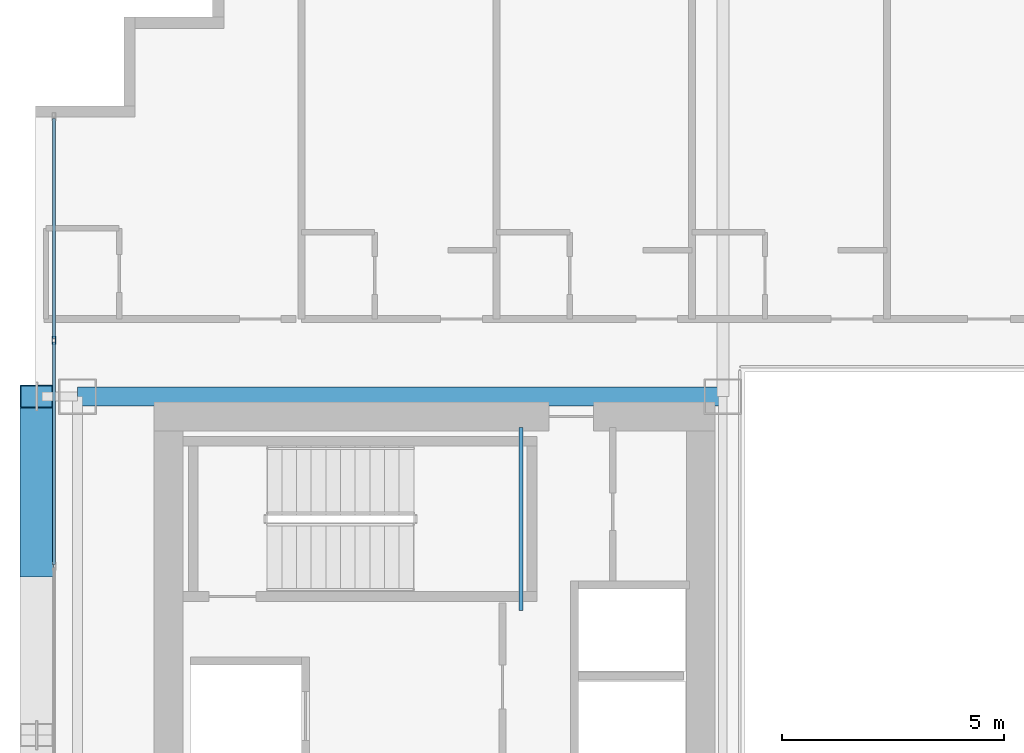
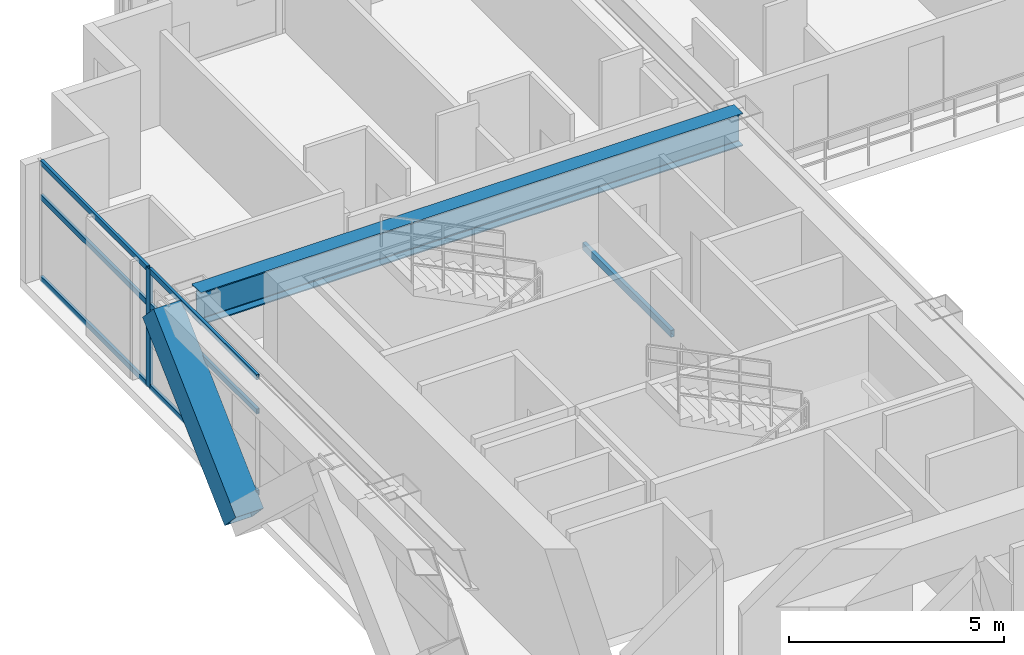
# One storey, part 16 of 36: 8 members, 2 beams, 1 element without a shape of its own.
"""IFC4 building model written with IfcOpenShell, lengths in metres."""

import ifcopenshell
import ifcopenshell.guid

model = None  # the IFC model being written
_history = None  # IfcOwnerHistory: only IFC2X3 demands one
_inside = {}  # id of a spatial element -> (the spatial element, [elements in it])
_under = {}  # id of a project, library or spatial element -> (it, [spatial elements below it])
_declared = {}  # id of a project -> (the project, [libraries it declares])
_typed = {}  # id of a type object -> (the type object, [elements of that type])
_made_of = {}  # id of a material, layer set ... -> (it, [elements and type objects made of it])


def new_model(schema):
    """Start an empty IFC model of exactly this schema.

    Asked for "IFC4X3", IfcOpenShell would pick the latest addendum, in which some entities
    have other attributes; the version numbers below select the first issue.
    IFC2X3 requires an IfcOwnerHistory on every rooted entity: one is made here for all.
    """
    global model, _history
    if schema == "IFC4X3":
        model = ifcopenshell.file(schema_version=(4, 3, 0, 0))
    else:
        model = ifcopenshell.file(schema=schema)
    _inside.clear()
    _under.clear()
    _declared.clear()
    _typed.clear()
    _made_of.clear()
    _history = None
    if model.schema == "IFC2X3":
        org = make("IfcOrganization", Name="unknown")
        user = make(
            "IfcPersonAndOrganization",
            ThePerson=make("IfcPerson", FamilyName="unknown"),
            TheOrganization=org,
        )
        app = make(
            "IfcApplication",
            ApplicationDeveloper=org,
            Version="unknown",
            ApplicationFullName="unknown",
            ApplicationIdentifier="unknown",
        )
        _history = make(
            "IfcOwnerHistory",
            OwningUser=user,
            OwningApplication=app,
            ChangeAction="ADDED",
            CreationDate=0,
        )
    return model


def make(cls, **values):
    """One entity of the class cls with the attributes given. An attribute that is None is left unset."""
    return model.create_entity(
        cls, **{name: value for name, value in values.items() if value is not None}
    )


def rooted(cls, **values):
    """An entity with a GlobalId (a new one), such as an element, a storey or a relation."""
    return make(cls, GlobalId=ifcopenshell.guid.new(), OwnerHistory=_history, **values)


def si_unit(unit_type, name, prefix=None):
    """IfcSIUnit, for example si_unit("LENGTHUNIT", "METRE", prefix="MILLI")."""
    return make("IfcSIUnit", UnitType=unit_type, Prefix=prefix, Name=name)


def assignment(units):
    """IfcUnitAssignment: the units of a project."""
    return None if units is None else make("IfcUnitAssignment", Units=units)


def point(xyz):
    """IfcCartesianPoint."""
    return None if xyz is None else make("IfcCartesianPoint", Coordinates=xyz)


def direction(xyz):
    """IfcDirection."""
    return None if xyz is None else make("IfcDirection", DirectionRatios=xyz)


def frame(location, z_axis=None, x_axis=None):
    """IfcAxis2Placement3D, a coordinate frame: its origin and axes. An axis left out is left unset."""
    return make(
        "IfcAxis2Placement3D",
        Location=point(location),
        Axis=direction(z_axis),
        RefDirection=direction(x_axis),
    )


def frame_2d(location, x_axis=None):
    """IfcAxis2Placement2D, a coordinate frame in the plane: its origin and x axis."""
    return make(
        "IfcAxis2Placement2D", Location=point(location), RefDirection=direction(x_axis)
    )


def origin():
    """The frame at (0, 0, 0) with its axes left unset."""
    return frame((0.0, 0.0, 0.0))


def origin_2d():
    """The frame at (0, 0) in the plane with its x axis left unset."""
    return frame_2d((0.0, 0.0))


def place(relative_to, where):
    """IfcLocalPlacement: puts the frame where relative to a parent placement (None: the world)."""
    return make(
        "IfcLocalPlacement", PlacementRelTo=relative_to, RelativePlacement=where
    )


def context(
    kind, dimensions, precision=None, world=None, true_north=None, identifier=None
):
    """IfcGeometricRepresentationContext, for example the 3D "Model" context."""
    return make(
        "IfcGeometricRepresentationContext",
        ContextIdentifier=identifier,
        ContextType=kind,
        CoordinateSpaceDimension=dimensions,
        Precision=precision,
        WorldCoordinateSystem=world,
        TrueNorth=true_north,
    )


def subcontext(parent, identifier, kind, view, scale=None):
    """IfcGeometricRepresentationSubContext, for example "Body" below "Model"."""
    return make(
        "IfcGeometricRepresentationSubContext",
        ContextIdentifier=identifier,
        ContextType=kind,
        ParentContext=parent,
        TargetScale=scale,
        TargetView=view,
    )


def project(units=None, contexts=None):
    """IfcProject with its units and contexts."""
    return rooted(
        "IfcProject",
        Name="project",
        RepresentationContexts=contexts,
        UnitsInContext=assignment(units),
    )


def spatial(cls, under=None, at=None, **own):
    """A site, building, storey or space (cls), placed at a placement, below another one or the project."""
    s = rooted(cls, ObjectPlacement=at, **own)
    if under is not None:
        _under.setdefault(under.id(), (under, []))[1].append(s)
    return s


def profile(cls, at=None, kind="AREA", **sizes):
    """A parametric profile (cls). Its sizes go by their IFC names, for example OverallWidth=200.0."""
    return make(cls, ProfileType=kind, Position=at, **sizes)


def hollow_rectangle(**sizes):
    """IfcRectangleHollowProfileDef."""
    return profile("IfcRectangleHollowProfileDef", **sizes)


def i_section(**sizes):
    """IfcIShapeProfileDef."""
    return profile("IfcIShapeProfileDef", **sizes)


def extrude(swept, where, along, depth):
    """IfcExtrudedAreaSolid: the profile swept, set in the frame where, extruded along a direction by depth."""
    return make(
        "IfcExtrudedAreaSolid",
        SweptArea=swept,
        Position=where,
        ExtrudedDirection=direction(along),
        Depth=depth,
    )


def shape(context_of_items, identifier, shape_type, items):
    """IfcShapeRepresentation: the items that make up one representation, for example the "Body"."""
    return make(
        "IfcShapeRepresentation",
        ContextOfItems=context_of_items,
        RepresentationIdentifier=identifier,
        RepresentationType=shape_type,
        Items=items,
    )


def source(mapping_origin, context_of_items, identifier, shape_type, items):
    """IfcRepresentationMap: a shape defined once, which mapped items show again and again."""
    return make(
        "IfcRepresentationMap",
        MappingOrigin=mapping_origin,
        MappedRepresentation=shape(context_of_items, identifier, shape_type, items),
    )


def transform(
    local_origin,
    x_axis=None,
    y_axis=None,
    z_axis=None,
    scale=None,
    scale2=None,
    scale3=None,
    uniform=True,
):
    """IfcCartesianTransformationOperator3D, or its non-uniform kind. x_axis, y_axis, z_axis: its Axis1, 2, 3."""
    if uniform:
        return make(
            "IfcCartesianTransformationOperator3D",
            Axis1=direction(x_axis),
            Axis2=direction(y_axis),
            LocalOrigin=point(local_origin),
            Scale=scale,
            Axis3=direction(z_axis),
        )
    return make(
        "IfcCartesianTransformationOperator3DnonUniform",
        Axis1=direction(x_axis),
        Axis2=direction(y_axis),
        LocalOrigin=point(local_origin),
        Scale=scale,
        Axis3=direction(z_axis),
        Scale2=scale2,
        Scale3=scale3,
    )


def mapped(mapping_source, mapping_target):
    """IfcMappedItem: shows the shape of a source again, moved by a transform."""
    return make(
        "IfcMappedItem", MappingSource=mapping_source, MappingTarget=mapping_target
    )


def material(Name=None, Category=None):
    """IfcMaterial."""
    return make("IfcMaterial", Name=Name, Category=Category)


def layer(
    of_material, thickness, ventilated=None, Name=None, Category=None, Priority=None
):
    """IfcMaterialLayer: one layer of a wall or slab, of a material (None: an air gap)."""
    return make(
        "IfcMaterialLayer",
        Material=of_material,
        LayerThickness=thickness,
        IsVentilated=ventilated,
        Name=Name,
        Category=Category,
        Priority=Priority,
    )


def layer_set(layers, Name=None):
    """IfcMaterialLayerSet."""
    return make("IfcMaterialLayerSet", MaterialLayers=layers, LayerSetName=Name)


def material_profile(
    of_material, cross_section, Name=None, Category=None, Priority=None
):
    """IfcMaterialProfile: a cross section and its material."""
    return make(
        "IfcMaterialProfile",
        Name=Name,
        Material=of_material,
        Profile=cross_section,
        Priority=Priority,
        Category=Category,
    )


def profile_set(profiles, Name=None, composite=None):
    """IfcMaterialProfileSet."""
    return make(
        "IfcMaterialProfileSet",
        Name=Name,
        MaterialProfiles=profiles,
        CompositeProfile=composite,
    )


def made_of(thing, what):
    """Note that an element or type object is made of a material, layer set ...; save() writes the relation."""
    if what is not None:
        _made_of.setdefault(what.id(), (what, []))[1].append(thing)
    return thing


def type_object(cls, material=None, **own):
    """A type object (cls), such as IfcWallType, which elements share."""
    return made_of(rooted(cls, **own), material)


def element(
    cls,
    number,
    at=None,
    inside=None,
    cuts=None,
    type_object=None,
    material=None,
    context=None,
    identifier="Body",
    shape_type=None,
    held_by="IfcProductDefinitionShape",
    body=None,
    shapes=None,
    **own,
):
    """One element of the class cls, such as IfcWall. Its Tag is "e" and its number.

    at: its placement. inside: the storey or other place that contains it. cuts: it is an
    opening in that element (IfcRelVoidsElement). A single representation is given by context,
    identifier, shape_type and body (its items); several are given by shapes. held_by: the class
    of the entity that holds the representations. save() writes the other relations.
    """
    e = rooted(cls, Tag="e%d" % number, ObjectPlacement=at, **own)
    if body is not None:
        shapes = [shape(context, identifier, shape_type, body)]
    if shapes is not None:
        e.Representation = make(held_by, Representations=shapes)
    if inside is not None:
        _inside.setdefault(inside.id(), (inside, []))[1].append(e)
    if cuts is not None:
        rooted(
            "IfcRelVoidsElement", RelatingBuildingElement=cuts, RelatedOpeningElement=e
        )
    if type_object is not None:
        _typed.setdefault(type_object.id(), (type_object, []))[1].append(e)
    return made_of(e, material)


def aggregate(whole, parts):
    """IfcRelAggregates: a whole, such as a stair, and the parts it consists of."""
    return rooted("IfcRelAggregates", RelatingObject=whole, RelatedObjects=parts)


def save(model, path):
    """Write the relations noted so far, then the file.

    IfcRelAggregates (storeys below a building ...), IfcRelContainedInSpatialStructure (elements
    in a storey), IfcRelDefinesByType, IfcRelAssociatesMaterial and IfcRelDeclares: one each for
    every whole, place, type object, material and project.
    """
    for whole, parts in _under.values():
        aggregate(whole, parts)
    for where, things in _inside.values():
        rooted(
            "IfcRelContainedInSpatialStructure",
            RelatedElements=things,
            RelatingStructure=where,
        )
    for kind, things in _typed.values():
        rooted("IfcRelDefinesByType", RelatedObjects=things, RelatingType=kind)
    for what, things in _made_of.values():
        rooted("IfcRelAssociatesMaterial", RelatedObjects=things, RelatingMaterial=what)
    for by, libraries in _declared.values():
        rooted("IfcRelDeclares", RelatingContext=by, RelatedDefinitions=libraries)
    model.write(path)


model = new_model("IFC4")

# Units and contexts
model_context = context("Model", 3, precision=1e-05, world=origin(), true_north=direction((0.0, 1.0)))
body_context = subcontext(model_context, "Body", "Model", "MODEL_VIEW")
ifc_project = project(units=[si_unit("LENGTHUNIT", "METRE"), si_unit("AREAUNIT", "SQUARE_METRE"), si_unit("VOLUMEUNIT", "CUBIC_METRE"), si_unit("PLANEANGLEUNIT", "RADIAN"), si_unit("MASSUNIT", "GRAM", prefix="KILO")], contexts=[model_context])

# Site, building, storey
site_placement = place(None, origin())
site = spatial("IfcSite", under=ifc_project, at=site_placement, CompositionType="ELEMENT")
building_placement = place(site_placement, origin())
building = spatial("IfcBuilding", under=site, at=building_placement, Name="Ocotamira Hotel", CompositionType="ELEMENT")
storey_placement = place(building_placement, frame((0.0, 0.0, 129.60009765625)))
storey = spatial("IfcBuildingStorey", under=building, at=storey_placement, Name="L32", CompositionType="ELEMENT", Elevation=129.60009765625)

# Beams
ifc_material_1 = material(Name="Steel ASTM A500 Grade C", Category="steel")
ifc_material_profile_1 = material_profile(ifc_material_1, hollow_rectangle(XDim=0.10009765625, YDim=0.199951171875, WallThickness=0.008056640625, at=origin_2d()), Name="HSS200X100X8")
ifc_profile_set_1 = profile_set([ifc_material_profile_1], Name="Steel ASTM A500 Grade C")
beam_type_1 = type_object("IfcBeamType", Name="BM-STLDG-HSS200", PredefinedType="BEAM", material=ifc_profile_set_1)
shared_shape_1 = source(origin(), body_context, "Body", "SweptSolid", [
    extrude(hollow_rectangle(XDim=0.10009765625, YDim=0.199951171875, WallThickness=0.008056640625, at=origin_2d()), origin(), (0.0, 0.0, 1.0), 4.1201171875),
])
beam_1_placement = place(storey_placement, frame((18.949951171875, 32.6298828125, 1.5), z_axis=(0.0, 1.0, 0.0), x_axis=(-1.0, 0.0, 0.0)))
element("IfcBeam", 1, at=beam_1_placement, inside=storey, type_object=beam_type_1, Name="L32 Stair ST-2 Landing Bearer 1", PredefinedType="BEAM", context=body_context, shape_type="MappedRepresentation", body=[
    mapped(shared_shape_1, transform((0.0, 0.0, 0.0), scale=1.0)),
])
ifc_material_2 = material(Name="Steel ASTM A992 Grade 50", Category="steel")
ifc_material_profile_2 = material_profile(ifc_material_2, i_section(OverallWidth=0.41796875, OverallDepth=0.927001953125, WebThickness=0.019287109375, FlangeThickness=0.031982421875, FilletRadius=0.02392578125, at=origin_2d()), Name="W36X231")
ifc_profile_set_2 = profile_set([ifc_material_profile_2], Name="Steel ASTM A992 Grade 50")
beam_type_2 = type_object("IfcBeamType", Name="BM-GIRD-W36X231", PredefinedType="BEAM", material=ifc_profile_set_2)
shared_shape_2 = source(origin(), body_context, "Body", "SweptSolid", [
    extrude(i_section(OverallWidth=0.41796875, OverallDepth=0.927001953125, WebThickness=0.019287109375, FlangeThickness=0.031982421875, FilletRadius=0.02392578125, at=origin_2d()), origin(), (0.0, 0.0, 1.0), 14.550048828125),
])
beam_2_placement = place(storey_placement, frame((8.949951171875, 37.449951171875, 2.896484375), z_axis=(1.0, 0.0, 0.0), x_axis=(0.0, 1.0, 0.0)))
element("IfcBeam", 2, at=beam_2_placement, inside=storey, type_object=beam_type_2, Name="L32 Girder Y37.45 X8.95-23.5", PredefinedType="BEAM", context=body_context, shape_type="MappedRepresentation", body=[
    mapped(shared_shape_2, transform((0.0, 0.0, 0.0), scale=1.0)),
])

# Member
ifc_material_3 = material(Name="Pale-metal coated steel ASTM A913 Grade 65", Category="steel")
ifc_material_profile_3 = material_profile(ifc_material_3, hollow_rectangle(XDim=0.75, YDim=0.75, WallThickness=0.028076171875, at=origin_2d()), Name="BOX750X750X28")
ifc_profile_set_3 = profile_set([ifc_material_profile_3], Name="Pale-metal coated steel ASTM A913 Grade 65")
member_type_1 = type_object("IfcMemberType", Name="MEM-EXO-BOX750", PredefinedType="BRACE", material=ifc_profile_set_3)
shared_shape_3 = source(origin(), body_context, "Body", "SweptSolid", [
    extrude(hollow_rectangle(XDim=0.75, YDim=0.75, WallThickness=0.028076171875, at=origin_2d()), origin(), (0.0, 0.0, 1.0), 5.24658203125),
])
member_1_placement = place(storey_placement, frame((8.030029296875, 33.63330078125, -0.489990234375), z_axis=(0.0, 0.72746596067, 0.686143772154), x_axis=(-1.0, 0.0, 0.0)))
element("IfcMember", 3, at=member_1_placement, inside=storey, type_object=member_type_1, Name="L32 Exoskeleton Diagrid W2.2", PredefinedType="BRACE", context=body_context, shape_type="MappedRepresentation", body=[
    mapped(shared_shape_3, transform((0.0, 0.0, 0.0), scale=1.0)),
])

# Curtain wall, members
ifc_material_4 = material(Name="Anodised pale-metal aluminium and solar glass", Category="aluminium")
ifc_layer = layer(ifc_material_4, 0.179931640625)
ifc_layer_set = layer_set([ifc_layer], Name="Anodised pale-metal aluminium and solar glass")
curtain_wall_type = type_object("IfcCurtainWallType", Name="CW-SYS3-Z2", PredefinedType="NOTDEFINED", material=ifc_layer_set)
curtain_wall_placement = place(storey_placement, origin())
curtain_wall = element("IfcCurtainWall", 4, at=curtain_wall_placement, inside=storey, type_object=curtain_wall_type, Name="L32 Curtain Wall CW-3 CW-L32-W", PredefinedType="NOTDEFINED")
ifc_material_5 = material(Name="Anodised pale-metal aluminium 6063-T6", Category="aluminium")
ifc_material_profile_4 = material_profile(ifc_material_5, hollow_rectangle(XDim=0.074951171875, YDim=0.14990234375, WallThickness=0.006103515625, at=origin_2d()), Name="HSS150X75X6")
ifc_profile_set_4 = profile_set([ifc_material_profile_4], Name="Anodised pale-metal aluminium 6063-T6")
member_type_2 = type_object("IfcMemberType", Name="CWT-150X75", PredefinedType="USERDEFINED", material=ifc_profile_set_4)
shared_shape_4 = source(origin(), body_context, "Body", "SweptSolid", [
    extrude(hollow_rectangle(XDim=0.074951171875, YDim=0.14990234375, WallThickness=0.006103515625, at=origin_2d()), origin(), (0.0, 0.0, 1.0), 4.965576171875),
])
member_2_placement = place(storey_placement, frame((8.419921875, 38.75439453125, 0.037353515625), z_axis=(0.0, 1.0, 0.0), x_axis=(-1.0, 0.0, 0.0)))
member_2 = element("IfcMember", 5, at=member_2_placement, type_object=member_type_2, Name="CW-3 transom 7.1", ObjectType="TRANSOM", PredefinedType="USERDEFINED", context=body_context, shape_type="MappedRepresentation", body=[
    mapped(shared_shape_4, transform((0.0, 0.0, 0.0), scale=1.0)),
])
member_3_placement = place(storey_placement, frame((8.419921875, 38.75439453125, 2.349853515625), z_axis=(0.0, 1.0, 0.0), x_axis=(-1.0, 0.0, 0.0)))
member_3 = element("IfcMember", 6, at=member_3_placement, type_object=member_type_2, Name="CW-3 transom 7.2", ObjectType="TRANSOM", PredefinedType="USERDEFINED", context=body_context, shape_type="MappedRepresentation", body=[
    mapped(shared_shape_4, transform((0.0, 0.0, 0.0), scale=1.0)),
])
member_4_placement = place(storey_placement, frame((8.419921875, 38.75439453125, 3.322509765625), z_axis=(0.0, 1.0, 0.0), x_axis=(-1.0, 0.0, 0.0)))
member_4 = element("IfcMember", 7, at=member_4_placement, type_object=member_type_2, Name="CW-3 transom 7.3", ObjectType="TRANSOM", PredefinedType="USERDEFINED", context=body_context, shape_type="MappedRepresentation", body=[
    mapped(shared_shape_4, transform((0.0, 0.0, 0.0), scale=1.0)),
])
shared_shape_5 = source(origin(), body_context, "Body", "SweptSolid", [
    extrude(hollow_rectangle(XDim=0.074951171875, YDim=0.14990234375, WallThickness=0.006103515625, at=origin_2d()), origin(), (0.0, 0.0, 1.0), 5.005859375),
])
member_5_placement = place(storey_placement, frame((8.419921875, 33.66845703125, 0.037353515625), z_axis=(0.0, 1.0, 0.0), x_axis=(-1.0, 0.0, 0.0)))
member_5 = element("IfcMember", 8, at=member_5_placement, type_object=member_type_2, Name="CW-3 transom 6.1", ObjectType="TRANSOM", PredefinedType="USERDEFINED", context=body_context, shape_type="MappedRepresentation", body=[
    mapped(shared_shape_5, transform((0.0, 0.0, 0.0), scale=1.0)),
])
member_6_placement = place(storey_placement, frame((8.419921875, 33.66845703125, 2.349853515625), z_axis=(0.0, 1.0, 0.0), x_axis=(-1.0, 0.0, 0.0)))
member_6 = element("IfcMember", 9, at=member_6_placement, type_object=member_type_2, Name="CW-3 transom 6.2", ObjectType="TRANSOM", PredefinedType="USERDEFINED", context=body_context, shape_type="MappedRepresentation", body=[
    mapped(shared_shape_5, transform((0.0, 0.0, 0.0), scale=1.0)),
])
member_7_placement = place(storey_placement, frame((8.419921875, 33.66845703125, 3.322509765625), z_axis=(0.0, 1.0, 0.0), x_axis=(-1.0, 0.0, 0.0)))
member_7 = element("IfcMember", 10, at=member_7_placement, type_object=member_type_2, Name="CW-3 transom 6.3", ObjectType="TRANSOM", PredefinedType="USERDEFINED", context=body_context, shape_type="MappedRepresentation", body=[
    mapped(shared_shape_5, transform((0.0, 0.0, 0.0), scale=1.0)),
])
ifc_material_profile_5 = material_profile(ifc_material_5, hollow_rectangle(XDim=0.080078125, YDim=0.179931640625, WallThickness=0.006103515625, at=origin_2d()), Name="HSS180X80X6")
ifc_profile_set_5 = profile_set([ifc_material_profile_5], Name="Anodised pale-metal aluminium 6063-T6")
member_type_3 = type_object("IfcMemberType", Name="CWM-180X75", PredefinedType="MULLION", material=ifc_profile_set_5)
shared_shape_6 = source(origin(), body_context, "Body", "SweptSolid", [
    extrude(hollow_rectangle(XDim=0.080078125, YDim=0.179931640625, WallThickness=0.006103515625, at=origin_2d()), origin(), (0.0, 0.0, 1.0), 3.35986328125),
])
member_8_placement = place(storey_placement, frame((8.419921875, 38.71435546875, 0.0), z_axis=(0.0, 0.0, 1.0), x_axis=(-1.0, 0.0, 0.0)))
member_8 = element("IfcMember", 11, at=member_8_placement, type_object=member_type_3, Name="CW-3 mullion 7", PredefinedType="MULLION", context=body_context, shape_type="MappedRepresentation", body=[
    mapped(shared_shape_6, transform((0.0, 0.0, 0.0), scale=1.0)),
])
aggregate(curtain_wall, [member_8, member_5, member_6, member_7, member_2, member_3, member_4])

save(model, "model.ifc")
